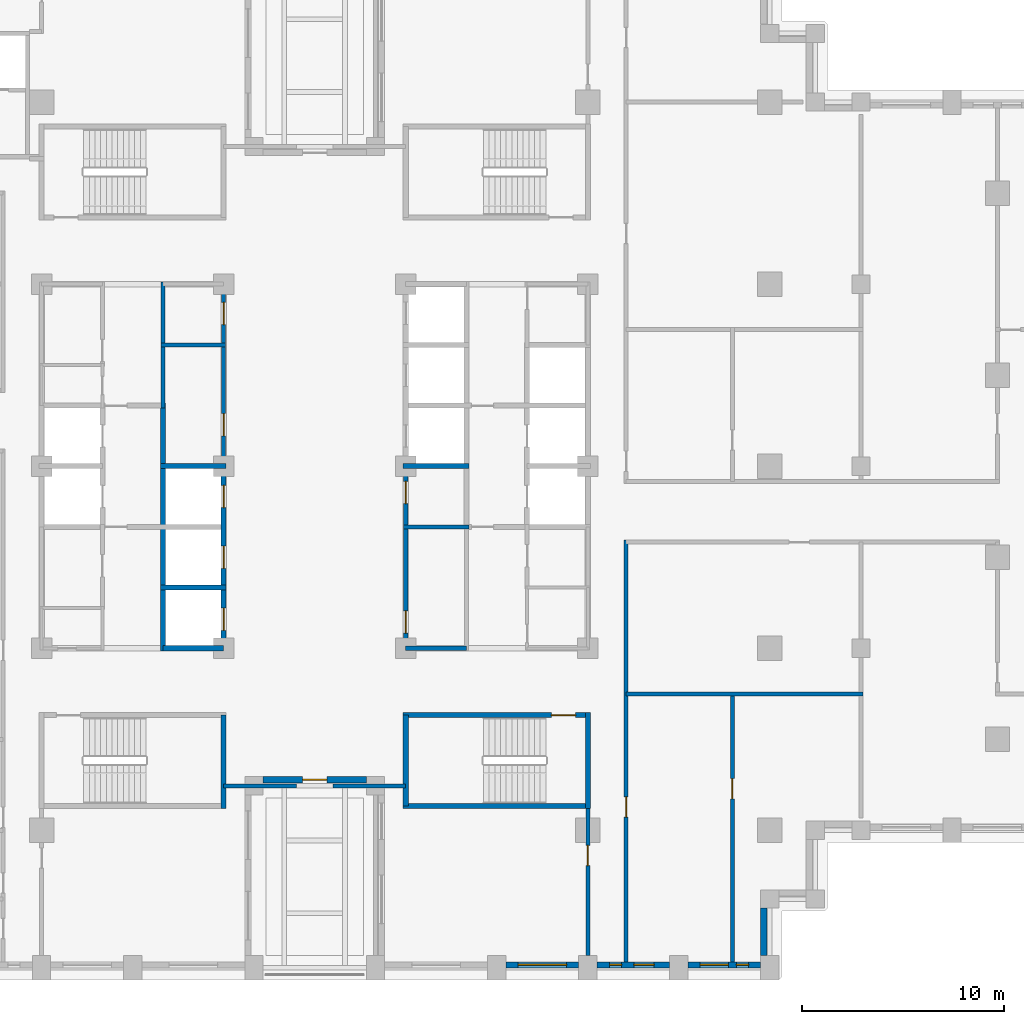
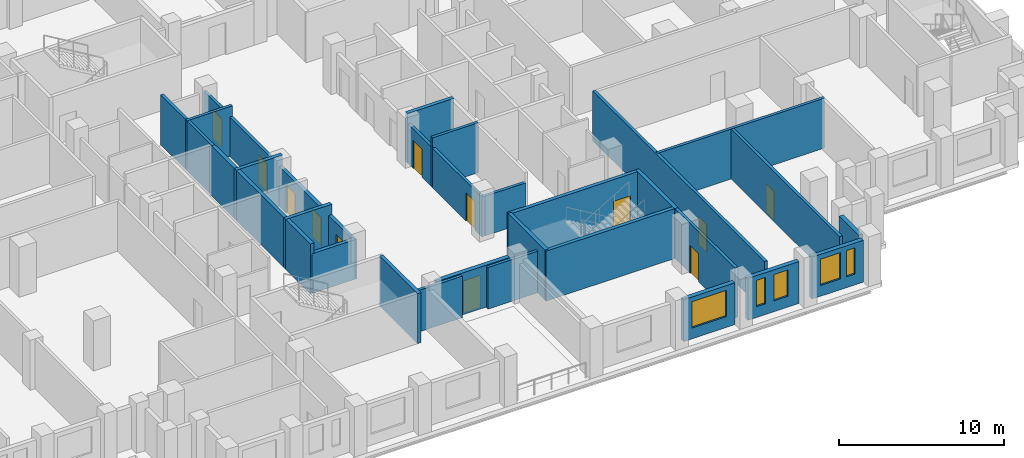
# One storey, part 5 of 13: 28 walls, 12 doors, 5 windows, 17 openings.
"""IFC4 building model written with IfcOpenShell, lengths in metres."""

from ifc_helpers import new_model, si_unit, direction, frame, frame_2d, origin, place, context, subcontext, project, spatial, rectangle, extrude, material, layer, layer_set, type_object, element, fill, save


model = new_model("IFC4")

# Units and contexts
model_context = context("Model", 3, precision=1e-05, world=origin(), true_north=direction((0.0, 1.0)))
body_context = subcontext(model_context, "Body", "Model", "MODEL_VIEW")
ifc_project = project(units=[si_unit("LENGTHUNIT", "METRE"), si_unit("AREAUNIT", "SQUARE_METRE"), si_unit("VOLUMEUNIT", "CUBIC_METRE"), si_unit("PLANEANGLEUNIT", "RADIAN"), si_unit("MASSUNIT", "GRAM", prefix="KILO")], contexts=[model_context])

# Site, building, storey
site_placement = place(None, origin())
site = spatial("IfcSite", under=ifc_project, at=site_placement, CompositionType="ELEMENT")
building_placement = place(site_placement, origin())
building = spatial("IfcBuilding", under=site, at=building_placement, Name="Corbelhall Arena Tower", CompositionType="ELEMENT")
storey_placement = place(building_placement, frame((0.0, 0.0, 68.0)))
storey = spatial("IfcBuildingStorey", under=building, at=storey_placement, Name="L09", CompositionType="ELEMENT", Elevation=68.0)

# Wall, opening, door
ifc_material_1 = material(Name="Precast concrete C40/50 with granite facing", Category="masonry")
ifc_layer_1 = layer(ifc_material_1, 0.300048828125)
ifc_layer_set_1 = layer_set([ifc_layer_1], Name="EV-IW1 Infill panel 300")
wall_type_1 = type_object("IfcWallType", Name="EV-IW1 Infill panel 300", PredefinedType="SOLIDWALL", material=ifc_layer_set_1)
wall_1_placement = place(storey_placement, frame((2.550048828125, -15.5, 0.0), z_axis=(0.0, 0.0, 1.0), x_axis=(-1.0, 0.0, 0.0)))
wall_1 = element("IfcWall", 1, at=wall_1_placement, inside=storey, type_object=wall_type_1, Name="Infill panel IW1", PredefinedType="SOLIDWALL", context=body_context, shape_type="SweptSolid", body=[
    extrude(rectangle(XDim=5.10009765625, YDim=0.300048828125, at=frame_2d((2.550048828125, 0.0))), origin(), (0.0, 0.0, 1.0), 3.10009765625),
])
opening_1_placement = place(wall_1_placement, frame((1.949951171875, 0.0, 0.0)))
opening_1 = element("IfcOpeningElement", 2, at=opening_1_placement, cuts=wall_1, Name="Opening ED1", PredefinedType="OPENING", context=body_context, shape_type="SweptSolid", body=[
    extrude(rectangle(XDim=1.199951171875, YDim=2.39990234375, at=frame_2d((0.60009765625, 1.199951171875))), frame((0.0, 0.14990234375, 0.0), z_axis=(0.0, -1.0, 0.0), x_axis=(1.0, 0.0, 0.0)), (0.0, 0.0, 1.0), 0.300048828125),
])
ifc_material_2 = material(Name="Aluminium black anodised", Category="aluminium")
door_type_1 = type_object("IfcDoorType", Name="EV-ED1 Terrace door", OperationType="SINGLE_SWING_LEFT", PredefinedType="DOOR", material=ifc_material_2)
door_1_placement = place(opening_1_placement, origin())
door_1 = element("IfcDoor", 3, at=door_1_placement, inside=storey, type_object=door_type_1, Name="Terrace door", OperationType="SINGLE_SWING_LEFT", OverallHeight=2.39990234375, OverallWidth=1.199951171875, PredefinedType="DOOR", context=body_context, shape_type="SweptSolid", body=[
    extrude(rectangle(XDim=1.199951171875, YDim=2.39990234375, at=frame_2d((0.60009765625, 1.199951171875))), frame((0.0, 0.02490234375, 0.0), z_axis=(0.0, -1.0, 0.0), x_axis=(1.0, 0.0, 0.0)), (0.0, 0.0, 1.0), 0.050048828125),
])
fill(opening_1, door_1)

# Wall, opening, window
wall_2_placement = place(storey_placement, frame((9.449951171875, -24.64990234375, 0.0), z_axis=(0.0, 0.0, 1.0), x_axis=(1.0, 0.0, 0.0)))
wall_2 = element("IfcWall", 4, at=wall_2_placement, inside=storey, type_object=wall_type_1, Name="Infill panel IW1", PredefinedType="SOLIDWALL", context=body_context, shape_type="SweptSolid", body=[
    extrude(rectangle(XDim=3.60009765625, YDim=0.300048828125, at=frame_2d((1.800048828125, 0.0))), origin(), (0.0, 0.0, 1.0), 3.10009765625),
])
opening_2_placement = place(wall_2_placement, frame((0.60009765625, 0.0, 0.800048828125)))
opening_2 = element("IfcOpeningElement", 5, at=opening_2_placement, cuts=wall_2, Name="Opening WN1", PredefinedType="OPENING", context=body_context, shape_type="SweptSolid", body=[
    extrude(rectangle(XDim=2.39990234375, YDim=1.949951171875, at=frame_2d((1.199951171875, 0.97509765625))), frame((0.0, 0.14990234375, 0.0), z_axis=(0.0, -1.0, 0.0), x_axis=(1.0, 0.0, 0.0)), (0.0, 0.0, 1.0), 0.300048828125),
])
window_type_1 = type_object("IfcWindowType", Name="EV-WN1 Office window", PartitioningType="SINGLE_PANEL", PredefinedType="WINDOW", material=ifc_material_2)
window_1_placement = place(opening_2_placement, origin())
window_1 = element("IfcWindow", 6, at=window_1_placement, inside=storey, type_object=window_type_1, Name="Window WN1", OverallHeight=1.949951171875, OverallWidth=2.39990234375, PartitioningType="SINGLE_PANEL", PredefinedType="WINDOW", context=body_context, shape_type="SweptSolid", body=[
    extrude(rectangle(XDim=2.39990234375, YDim=1.949951171875, at=frame_2d((1.199951171875, 0.97509765625))), frame((0.0, 0.030029296875, 0.0), z_axis=(0.0, -1.0, 0.0), x_axis=(1.0, 0.0, 0.0)), (0.0, 0.0, 1.0), 0.06005859375),
])
fill(opening_2, window_1)

# Wall, openings, windows
wall_3_placement = place(storey_placement, frame((13.949951171875, -24.64990234375, 0.0), z_axis=(0.0, 0.0, 1.0), x_axis=(1.0, 0.0, 0.0)))
wall_3 = element("IfcWall", 7, at=wall_3_placement, inside=storey, type_object=wall_type_1, Name="Infill panel IW1", PredefinedType="SOLIDWALL", context=body_context, shape_type="SweptSolid", body=[
    extrude(rectangle(XDim=3.60009765625, YDim=0.300048828125, at=frame_2d((1.800048828125, 0.0))), origin(), (0.0, 0.0, 1.0), 3.10009765625),
])
opening_3_placement = place(wall_3_placement, frame((0.625, 0.0, 0.800048828125)))
opening_3 = element("IfcOpeningElement", 8, at=opening_3_placement, cuts=wall_3, Name="Opening WN5", PredefinedType="OPENING", context=body_context, shape_type="SweptSolid", body=[
    extrude(rectangle(XDim=0.60009765625, YDim=1.949951171875, at=frame_2d((0.300048828125, 0.97509765625))), frame((0.0, 0.14990234375, 0.0), z_axis=(0.0, -1.0, 0.0), x_axis=(1.0, 0.0, 0.0)), (0.0, 0.0, 1.0), 0.300048828125),
])
opening_4_placement = place(wall_3_placement, frame((1.824951171875, 0.0, 0.800048828125)))
opening_4 = element("IfcOpeningElement", 9, at=opening_4_placement, cuts=wall_3, Name="Opening WN6", PredefinedType="OPENING", context=body_context, shape_type="SweptSolid", body=[
    extrude(rectangle(XDim=1.0, YDim=1.949951171875, at=frame_2d((0.5, 0.97509765625))), frame((0.0, 0.14990234375, 0.0), z_axis=(0.0, -1.0, 0.0), x_axis=(1.0, 0.0, 0.0)), (0.0, 0.0, 1.0), 0.300048828125),
])
window_type_2 = type_object("IfcWindowType", Name="EV-WN5 Office window 600", PartitioningType="SINGLE_PANEL", PredefinedType="WINDOW", material=ifc_material_2)
window_2_placement = place(opening_3_placement, origin())
window_2 = element("IfcWindow", 10, at=window_2_placement, inside=storey, type_object=window_type_2, Name="Window WN5", OverallHeight=1.949951171875, OverallWidth=0.60009765625, PartitioningType="SINGLE_PANEL", PredefinedType="WINDOW", context=body_context, shape_type="SweptSolid", body=[
    extrude(rectangle(XDim=0.60009765625, YDim=1.949951171875, at=frame_2d((0.300048828125, 0.97509765625))), frame((0.0, 0.030029296875, 0.0), z_axis=(0.0, -1.0, 0.0), x_axis=(1.0, 0.0, 0.0)), (0.0, 0.0, 1.0), 0.06005859375),
])
fill(opening_3, window_2)
window_type_3 = type_object("IfcWindowType", Name="EV-WN6 Office window 1000", PartitioningType="SINGLE_PANEL", PredefinedType="WINDOW", material=ifc_material_2)
window_3_placement = place(opening_4_placement, origin())
window_3 = element("IfcWindow", 11, at=window_3_placement, inside=storey, type_object=window_type_3, Name="Window WN6", OverallHeight=1.949951171875, OverallWidth=1.0, PartitioningType="SINGLE_PANEL", PredefinedType="WINDOW", context=body_context, shape_type="SweptSolid", body=[
    extrude(rectangle(XDim=1.0, YDim=1.949951171875, at=frame_2d((0.5, 0.97509765625))), frame((0.0, 0.030029296875, 0.0), z_axis=(0.0, -1.0, 0.0), x_axis=(1.0, 0.0, 0.0)), (0.0, 0.0, 1.0), 0.06005859375),
])
fill(opening_4, window_3)

wall_4_placement = place(storey_placement, frame((18.449951171875, -24.64990234375, 0.0), z_axis=(0.0, 0.0, 1.0), x_axis=(1.0, 0.0, 0.0)))
wall_4 = element("IfcWall", 12, at=wall_4_placement, inside=storey, type_object=wall_type_1, Name="Infill panel IW1", PredefinedType="SOLIDWALL", context=body_context, shape_type="SweptSolid", body=[
    extrude(rectangle(XDim=3.60009765625, YDim=0.300048828125, at=frame_2d((1.800048828125, 0.0))), origin(), (0.0, 0.0, 1.0), 3.10009765625),
])
opening_5_placement = place(wall_4_placement, frame((0.60009765625, 0.0, 0.800048828125)))
opening_5 = element("IfcOpeningElement", 13, at=opening_5_placement, cuts=wall_4, Name="Opening WN7", PredefinedType="OPENING", context=body_context, shape_type="SweptSolid", body=[
    extrude(rectangle(XDim=1.39990234375, YDim=1.949951171875, at=frame_2d((0.699951171875, 0.97509765625))), frame((0.0, 0.14990234375, 0.0), z_axis=(0.0, -1.0, 0.0), x_axis=(1.0, 0.0, 0.0)), (0.0, 0.0, 1.0), 0.300048828125),
])
opening_6_placement = place(wall_4_placement, frame((2.39990234375, 0.0, 0.800048828125)))
opening_6 = element("IfcOpeningElement", 14, at=opening_6_placement, cuts=wall_4, Name="Opening WN5", PredefinedType="OPENING", context=body_context, shape_type="SweptSolid", body=[
    extrude(rectangle(XDim=0.60009765625, YDim=1.949951171875, at=frame_2d((0.300048828125, 0.97509765625))), frame((0.0, 0.14990234375, 0.0), z_axis=(0.0, -1.0, 0.0), x_axis=(1.0, 0.0, 0.0)), (0.0, 0.0, 1.0), 0.300048828125),
])
window_4_placement = place(opening_6_placement, origin())
window_4 = element("IfcWindow", 15, at=window_4_placement, inside=storey, type_object=window_type_2, Name="Window WN5", OverallHeight=1.949951171875, OverallWidth=0.60009765625, PartitioningType="SINGLE_PANEL", PredefinedType="WINDOW", context=body_context, shape_type="SweptSolid", body=[
    extrude(rectangle(XDim=0.60009765625, YDim=1.949951171875, at=frame_2d((0.300048828125, 0.97509765625))), frame((0.0, 0.030029296875, 0.0), z_axis=(0.0, -1.0, 0.0), x_axis=(1.0, 0.0, 0.0)), (0.0, 0.0, 1.0), 0.06005859375),
])
fill(opening_6, window_4)
window_type_4 = type_object("IfcWindowType", Name="EV-WN7 Office window 1400", PartitioningType="SINGLE_PANEL", PredefinedType="WINDOW", material=ifc_material_2)
window_5_placement = place(opening_5_placement, origin())
window_5 = element("IfcWindow", 16, at=window_5_placement, inside=storey, type_object=window_type_4, Name="Window WN7", OverallHeight=1.949951171875, OverallWidth=1.39990234375, PartitioningType="SINGLE_PANEL", PredefinedType="WINDOW", context=body_context, shape_type="SweptSolid", body=[
    extrude(rectangle(XDim=1.39990234375, YDim=1.949951171875, at=frame_2d((0.699951171875, 0.97509765625))), frame((0.0, 0.030029296875, 0.0), z_axis=(0.0, -1.0, 0.0), x_axis=(1.0, 0.0, 0.0)), (0.0, 0.0, 1.0), 0.06005859375),
])
fill(opening_5, window_5)

# Wall
wall_5_placement = place(storey_placement, frame((22.199951171875, -24.199951171875, 0.0), z_axis=(0.0, 0.0, 1.0), x_axis=(0.0, 1.0, 0.0)))
element("IfcWall", 17, at=wall_5_placement, inside=storey, type_object=wall_type_1, Name="Infill panel IW1", PredefinedType="SOLIDWALL", context=body_context, shape_type="SweptSolid", body=[
    extrude(rectangle(XDim=2.349853515625, YDim=0.300048828125, at=frame_2d((1.1748046875, 0.0))), origin(), (0.0, 0.0, 1.0), 3.10009765625),
])

# Wall, opening, door
ifc_material_3 = material(Name="Gypsum board on steel stud, acoustic", Category="steel")
ifc_layer_2 = layer(ifc_material_3, 0.199951171875)
ifc_layer_set_2 = layer_set([ifc_layer_2], Name="IN-W-DM200")
wall_type_2 = type_object("IfcWallType", Name="IN-W-DM200", PredefinedType="PARTITIONING", material=ifc_layer_set_2)
wall_6_placement = place(storey_placement, frame((13.5, -24.199951171875, 0.0), z_axis=(0.0, 0.0, 1.0), x_axis=(0.0, 1.0, 0.0)))
wall_6 = element("IfcWall", 18, at=wall_6_placement, inside=storey, type_object=wall_type_2, Name="Partition 029", PredefinedType="PARTITIONING", context=body_context, shape_type="SweptSolid", body=[
    extrude(rectangle(XDim=7.52490234375, YDim=0.199951171875, at=frame_2d((3.762451171875, 0.0))), origin(), (0.0, 0.0, 1.0), 3.699951171875),
])
opening_7_placement = place(wall_6_placement, frame((4.449951171875, 0.0, 0.0)))
opening_7 = element("IfcOpeningElement", 19, at=opening_7_placement, cuts=wall_6, Name="Opening 01026", PredefinedType="OPENING", context=body_context, shape_type="SweptSolid", body=[
    extrude(rectangle(XDim=1.0, YDim=2.10009765625, at=frame_2d((0.5, 1.050048828125))), frame((0.0, 0.10009765625, 0.0), z_axis=(0.0, -1.0, 0.0), x_axis=(1.0, 0.0, 0.0)), (0.0, 0.0, 1.0), 0.199951171875),
])
ifc_material_4 = material(Name="Steel door set", Category="steel")
door_type_2 = type_object("IfcDoorType", Name="IN-D-SW100", OperationType="NOTDEFINED", PredefinedType="DOOR", material=ifc_material_4)
door_2_placement = place(opening_7_placement, origin())
door_2 = element("IfcDoor", 20, at=door_2_placement, inside=storey, type_object=door_type_2, Name="Door 026", OperationType="SINGLE_SWING_LEFT", OverallHeight=2.10009765625, OverallWidth=1.0, PredefinedType="DOOR", context=body_context, shape_type="SweptSolid", body=[
    extrude(rectangle(XDim=1.0, YDim=2.10009765625, at=frame_2d((0.5, 1.050048828125))), frame((0.0, 0.02490234375, 0.0), z_axis=(0.0, -1.0, 0.0), x_axis=(1.0, 0.0, 0.0)), (0.0, 0.0, 1.0), 0.050048828125),
])
fill(opening_7, door_2)

# Wall
wall_7_placement = place(storey_placement, frame((15.39990234375, -11.25, 0.0), z_axis=(0.0, 0.0, 1.0), x_axis=(1.0, 0.0, 0.0)))
element("IfcWall", 21, at=wall_7_placement, inside=storey, type_object=wall_type_2, Name="Partition 031", PredefinedType="PARTITIONING", context=body_context, shape_type="SweptSolid", body=[
    extrude(rectangle(XDim=11.7001953125, YDim=0.199951171875, at=frame_2d((5.85009765625, 0.0))), origin(), (0.0, 0.0, 1.0), 3.699951171875),
])

# Wall, opening, door
wall_8_placement = place(storey_placement, frame((15.39990234375, -3.64990234375, 0.0), z_axis=(0.0, 0.0, 1.0), x_axis=(0.0, -1.0, 0.0)))
wall_8 = element("IfcWall", 22, at=wall_8_placement, inside=storey, type_object=wall_type_2, Name="Partition 032", PredefinedType="PARTITIONING", context=body_context, shape_type="SweptSolid", body=[
    extrude(rectangle(XDim=20.85009765625, YDim=0.199951171875, at=frame_2d((10.425048828125, 0.0))), origin(), (0.0, 0.0, 1.0), 3.699951171875),
])
opening_8_placement = place(wall_8_placement, frame((12.699951171875, 0.0, 0.0)))
opening_8 = element("IfcOpeningElement", 23, at=opening_8_placement, cuts=wall_8, Name="Opening 01037", PredefinedType="OPENING", context=body_context, shape_type="SweptSolid", body=[
    extrude(rectangle(XDim=1.0, YDim=2.10009765625, at=frame_2d((0.5, 1.050048828125))), frame((0.0, 0.10009765625, 0.0), z_axis=(0.0, -1.0, 0.0), x_axis=(1.0, 0.0, 0.0)), (0.0, 0.0, 1.0), 0.199951171875),
])
door_3_placement = place(opening_8_placement, origin())
door_3 = element("IfcDoor", 24, at=door_3_placement, inside=storey, type_object=door_type_2, Name="Door 037", OperationType="SINGLE_SWING_RIGHT", OverallHeight=2.10009765625, OverallWidth=1.0, PredefinedType="DOOR", context=body_context, shape_type="SweptSolid", body=[
    extrude(rectangle(XDim=1.0, YDim=2.10009765625, at=frame_2d((0.5, 1.050048828125))), frame((0.0, 0.02490234375, 0.0), z_axis=(0.0, -1.0, 0.0), x_axis=(1.0, 0.0, 0.0)), (0.0, 0.0, 1.0), 0.050048828125),
])
fill(opening_8, door_3)

wall_9_placement = place(storey_placement, frame((20.64990234375, -11.14990234375, 0.0), z_axis=(0.0, 0.0, 1.0), x_axis=(0.0, -1.0, 0.0)))
wall_9 = element("IfcWall", 25, at=wall_9_placement, inside=storey, type_object=wall_type_2, Name="Partition 037", PredefinedType="PARTITIONING", context=body_context, shape_type="SweptSolid", body=[
    extrude(rectangle(XDim=13.35009765625, YDim=0.199951171875, at=frame_2d((6.675048828125, 0.0))), origin(), (0.0, 0.0, 1.0), 3.699951171875),
])
opening_9_placement = place(wall_9_placement, frame((4.300048828125, 0.0, 0.0)))
opening_9 = element("IfcOpeningElement", 26, at=opening_9_placement, cuts=wall_9, Name="Opening 01038", PredefinedType="OPENING", context=body_context, shape_type="SweptSolid", body=[
    extrude(rectangle(XDim=1.0, YDim=2.10009765625, at=frame_2d((0.5, 1.050048828125))), frame((0.0, 0.10009765625, 0.0), z_axis=(0.0, -1.0, 0.0), x_axis=(1.0, 0.0, 0.0)), (0.0, 0.0, 1.0), 0.199951171875),
])
door_4_placement = place(opening_9_placement, origin())
door_4 = element("IfcDoor", 27, at=door_4_placement, inside=storey, type_object=door_type_2, Name="Door 038", OperationType="SINGLE_SWING_LEFT", OverallHeight=2.10009765625, OverallWidth=1.0, PredefinedType="DOOR", context=body_context, shape_type="SweptSolid", body=[
    extrude(rectangle(XDim=1.0, YDim=2.10009765625, at=frame_2d((0.5, 1.050048828125))), frame((0.0, 0.02490234375, 0.0), z_axis=(0.0, -1.0, 0.0), x_axis=(1.0, 0.0, 0.0)), (0.0, 0.0, 1.0), 0.050048828125),
])
fill(opening_9, door_4)

# Walls
ifc_layer_3 = layer(ifc_material_3, 0.199951171875)
ifc_layer_set_3 = layer_set([ifc_layer_3], Name="IN-W-DM200 under beam 617 mm")
wall_type_3 = type_object("IfcWallType", Name="IN-W-DM200 under beam 617 mm", PredefinedType="PARTITIONING", material=ifc_layer_set_3)
for number, where, z_axis, x_axis, name in (
    (28, (-0.89990234375, -15.800048828125, 0.0), (0.0, 0.0, 1.0), (-1.0, 0.0, 0.0), "Partition 024"),
    (29, (4.5, -15.800048828125, 0.0), (0.0, 0.0, 1.0), (-1.0, 0.0, 0.0), "Partition 028"),
):
    element("IfcWall", number, at=place(storey_placement, frame(where, z_axis=z_axis, x_axis=x_axis)), inside=storey, type_object=wall_type_3, Name=name, PredefinedType="PARTITIONING", context=body_context, shape_type="SweptSolid", body=[
        extrude(rectangle(XDim=3.60009765625, YDim=0.199951171875, at=frame_2d((1.800048828125, 0.0))), origin(), (0.0, 0.0, 1.0), 3.082763671875),
    ])
ifc_material_5 = material(Name="Concrete block wall", Category="concrete")
ifc_layer_4 = layer(ifc_material_5, 0.199951171875)
ifc_layer_set_4 = layer_set([ifc_layer_4], Name="IN-W-RS200")
wall_type_4 = type_object("IfcWallType", Name="IN-W-RS200", PredefinedType="SOLIDWALL", material=ifc_layer_set_4)
wall_10_placement = place(storey_placement, frame((-7.60009765625, 6.0, 0.0), z_axis=(0.0, 0.0, 1.0), x_axis=(1.0, 0.0, 0.0)))
element("IfcWall", 30, at=wall_10_placement, inside=storey, type_object=wall_type_4, Name="Partition 051", PredefinedType="SOLIDWALL", context=body_context, shape_type="SweptSolid", body=[
    extrude(rectangle(XDim=3.2001953125, YDim=0.199951171875, at=frame_2d((1.60009765625, 0.0))), origin(), (0.0, 0.0, 1.0), 3.699951171875),
])
wall_11_placement = place(storey_placement, frame((-7.5, 2.875, 0.0), z_axis=(0.0, 0.0, 1.0), x_axis=(0.0, 1.0, 0.0)))
element("IfcWall", 31, at=wall_11_placement, inside=storey, type_object=wall_type_4, Name="Partition 052", PredefinedType="SOLIDWALL", context=body_context, shape_type="SweptSolid", body=[
    extrude(rectangle(XDim=6.22509765625, YDim=0.199951171875, at=frame_2d((3.112548828125, 0.0))), origin(), (0.0, 0.0, 1.0), 3.699951171875),
])
wall_12_placement = place(storey_placement, frame((4.39990234375, -3.0, 0.0), z_axis=(0.0, 0.0, 1.0), x_axis=(1.0, 0.0, 0.0)))
element("IfcWall", 32, at=wall_12_placement, inside=storey, type_object=wall_type_4, Name="Partition 055", PredefinedType="SOLIDWALL", context=body_context, shape_type="SweptSolid", body=[
    extrude(rectangle(XDim=3.22509765625, YDim=0.199951171875, at=frame_2d((1.612548828125, 0.0))), origin(), (0.0, 0.0, 1.0), 3.699951171875),
])

# Wall, openings, doors
ifc_layer_5 = layer(ifc_material_5, 0.199951171875)
ifc_layer_set_5 = layer_set([ifc_layer_5], Name="IN-W-RS200 under beam 762 mm")
wall_type_5 = type_object("IfcWallType", Name="IN-W-RS200 under beam 762 mm", PredefinedType="SOLIDWALL", material=ifc_layer_set_5)
wall_13_placement = place(storey_placement, frame((-4.5, 9.10009765625, 0.0), z_axis=(0.0, 0.0, 1.0), x_axis=(0.0, -1.0, 0.0)))
wall_13 = element("IfcWall", 33, at=wall_13_placement, inside=storey, type_object=wall_type_5, Name="Partition 054", PredefinedType="SOLIDWALL", context=body_context, shape_type="SweptSolid", body=[
    extrude(rectangle(XDim=9.10009765625, YDim=0.199951171875, at=frame_2d((4.550048828125, 0.0))), origin(), (0.0, 0.0, 1.0), 2.93798828125),
])
opening_10_placement = place(wall_13_placement, frame((6.5, 0.0, 0.0)))
opening_10 = element("IfcOpeningElement", 34, at=opening_10_placement, cuts=wall_13, Name="Opening 01001", PredefinedType="OPENING", context=body_context, shape_type="SweptSolid", body=[
    extrude(rectangle(XDim=1.10009765625, YDim=2.10009765625, at=frame_2d((0.550048828125, 1.050048828125))), frame((0.0, 0.10009765625, 0.0), z_axis=(0.0, -1.0, 0.0), x_axis=(1.0, 0.0, 0.0)), (0.0, 0.0, 1.0), 0.199951171875),
])
opening_11_placement = place(wall_13_placement, frame((1.0, 0.0, 0.0)))
opening_11 = element("IfcOpeningElement", 35, at=opening_11_placement, cuts=wall_13, Name="Opening 01002", PredefinedType="OPENING", context=body_context, shape_type="SweptSolid", body=[
    extrude(rectangle(XDim=1.10009765625, YDim=2.10009765625, at=frame_2d((0.550048828125, 1.050048828125))), frame((0.0, 0.10009765625, 0.0), z_axis=(0.0, -1.0, 0.0), x_axis=(1.0, 0.0, 0.0)), (0.0, 0.0, 1.0), 0.199951171875),
])
door_type_3 = type_object("IfcDoorType", Name="IN-D-FD110", OperationType="NOTDEFINED", PredefinedType="DOOR", material=ifc_material_4)
door_5_placement = place(opening_10_placement, origin())
door_5 = element("IfcDoor", 36, at=door_5_placement, inside=storey, type_object=door_type_3, Name="Door 001", OperationType="SINGLE_SWING_RIGHT", OverallHeight=2.10009765625, OverallWidth=1.10009765625, PredefinedType="DOOR", context=body_context, shape_type="SweptSolid", body=[
    extrude(rectangle(XDim=1.10009765625, YDim=2.10009765625, at=frame_2d((0.550048828125, 1.050048828125))), frame((0.0, 0.02490234375, 0.0), z_axis=(0.0, -1.0, 0.0), x_axis=(1.0, 0.0, 0.0)), (0.0, 0.0, 1.0), 0.050048828125),
])
fill(opening_10, door_5)
door_6_placement = place(opening_11_placement, origin())
door_6 = element("IfcDoor", 37, at=door_6_placement, inside=storey, type_object=door_type_3, Name="Door 002", OperationType="SINGLE_SWING_LEFT", OverallHeight=2.10009765625, OverallWidth=1.10009765625, PredefinedType="DOOR", context=body_context, shape_type="SweptSolid", body=[
    extrude(rectangle(XDim=1.10009765625, YDim=2.10009765625, at=frame_2d((0.550048828125, 1.050048828125))), frame((0.0, 0.02490234375, 0.0), z_axis=(0.0, -1.0, 0.0), x_axis=(1.0, 0.0, 0.0)), (0.0, 0.0, 1.0), 0.050048828125),
])
fill(opening_11, door_6)

wall_14_placement = place(storey_placement, frame((4.5, -9.10009765625, 0.0), z_axis=(0.0, 0.0, 1.0), x_axis=(0.0, 1.0, 0.0)))
wall_14 = element("IfcWall", 38, at=wall_14_placement, inside=storey, type_object=wall_type_5, Name="Partition 056", PredefinedType="SOLIDWALL", context=body_context, shape_type="SweptSolid", body=[
    extrude(rectangle(XDim=9.10009765625, YDim=0.199951171875, at=frame_2d((4.550048828125, 0.0))), origin(), (0.0, 0.0, 1.0), 2.93798828125),
])
opening_12_placement = place(wall_14_placement, frame((0.85009765625, 0.0, 0.0)))
opening_12 = element("IfcOpeningElement", 39, at=opening_12_placement, cuts=wall_14, Name="Opening 01008", PredefinedType="OPENING", context=body_context, shape_type="SweptSolid", body=[
    extrude(rectangle(XDim=1.10009765625, YDim=2.10009765625, at=frame_2d((0.550048828125, 1.050048828125))), frame((0.0, 0.10009765625, 0.0), z_axis=(0.0, -1.0, 0.0), x_axis=(1.0, 0.0, 0.0)), (0.0, 0.0, 1.0), 0.199951171875),
])
opening_13_placement = place(wall_14_placement, frame((7.25, 0.0, 0.0)))
opening_13 = element("IfcOpeningElement", 40, at=opening_13_placement, cuts=wall_14, Name="Opening 01009", PredefinedType="OPENING", context=body_context, shape_type="SweptSolid", body=[
    extrude(rectangle(XDim=1.10009765625, YDim=2.10009765625, at=frame_2d((0.550048828125, 1.050048828125))), frame((0.0, 0.10009765625, 0.0), z_axis=(0.0, -1.0, 0.0), x_axis=(1.0, 0.0, 0.0)), (0.0, 0.0, 1.0), 0.199951171875),
])
door_7_placement = place(opening_12_placement, origin())
door_7 = element("IfcDoor", 41, at=door_7_placement, inside=storey, type_object=door_type_3, Name="Door 008", OperationType="SINGLE_SWING_LEFT", OverallHeight=2.10009765625, OverallWidth=1.10009765625, PredefinedType="DOOR", context=body_context, shape_type="SweptSolid", body=[
    extrude(rectangle(XDim=1.10009765625, YDim=2.10009765625, at=frame_2d((0.550048828125, 1.050048828125))), frame((0.0, 0.02490234375, 0.0), z_axis=(0.0, -1.0, 0.0), x_axis=(1.0, 0.0, 0.0)), (0.0, 0.0, 1.0), 0.050048828125),
])
fill(opening_12, door_7)
door_8_placement = place(opening_13_placement, origin())
door_8 = element("IfcDoor", 42, at=door_8_placement, inside=storey, type_object=door_type_3, Name="Door 009", OperationType="SINGLE_SWING_RIGHT", OverallHeight=2.10009765625, OverallWidth=1.10009765625, PredefinedType="DOOR", context=body_context, shape_type="SweptSolid", body=[
    extrude(rectangle(XDim=1.10009765625, YDim=2.10009765625, at=frame_2d((0.550048828125, 1.050048828125))), frame((0.0, 0.02490234375, 0.0), z_axis=(0.0, -1.0, 0.0), x_axis=(1.0, 0.0, 0.0)), (0.0, 0.0, 1.0), 0.050048828125),
])
fill(opening_13, door_8)

# Walls
wall_15_placement = place(storey_placement, frame((7.5, -9.0, 0.0), z_axis=(0.0, 0.0, 1.0), x_axis=(-1.0, 0.0, 0.0)))
element("IfcWall", 43, at=wall_15_placement, inside=storey, type_object=wall_type_5, Name="Partition 057", PredefinedType="SOLIDWALL", context=body_context, shape_type="SweptSolid", body=[
    extrude(rectangle(XDim=3.0, YDim=0.199951171875, at=frame_2d((1.5, 0.0))), origin(), (0.0, 0.0, 1.0), 2.93798828125),
])
ifc_material_6 = material(Name="Concrete C40/50", Category="concrete")
ifc_layer_6 = layer(ifc_material_6, 0.25)
ifc_layer_set_6 = layer_set([ifc_layer_6], Name="IN-W-SH250")
wall_type_6 = type_object("IfcWallType", Name="IN-W-SH250", PredefinedType="SOLIDWALL", material=ifc_layer_set_6)
for number, where, z_axis, x_axis, name in (
    (44, (-7.625, -6.0, 0.0), (0.0, 0.0, 1.0), (1.0, 0.0, 0.0), "Shaft wall 069"),
    (45, (-7.625, 0.0, 0.0), (0.0, 0.0, 1.0), (1.0, 0.0, 0.0), "Shaft wall 070"),
):
    element("IfcWall", number, at=place(storey_placement, frame(where, z_axis=z_axis, x_axis=x_axis)), inside=storey, type_object=wall_type_6, Name=name, PredefinedType="SOLIDWALL", context=body_context, shape_type="SweptSolid", body=[
        extrude(rectangle(XDim=3.25, YDim=0.25, at=frame_2d((1.625, 0.0))), origin(), (0.0, 0.0, 1.0), 3.699951171875),
    ])
wall_16_placement = place(storey_placement, frame((-7.5, -9.125, 0.0), z_axis=(0.0, 0.0, 1.0), x_axis=(0.0, 1.0, 0.0)))
element("IfcWall", 46, at=wall_16_placement, inside=storey, type_object=wall_type_6, Name="Shaft wall 071", PredefinedType="SOLIDWALL", context=body_context, shape_type="SweptSolid", body=[
    extrude(rectangle(XDim=12.25, YDim=0.25, at=frame_2d((6.125, 0.0))), origin(), (0.0, 0.0, 1.0), 3.699951171875),
])
wall_17_placement = place(storey_placement, frame((4.375, 0.0, 0.0), z_axis=(0.0, 0.0, 1.0), x_axis=(1.0, 0.0, 0.0)))
element("IfcWall", 47, at=wall_17_placement, inside=storey, type_object=wall_type_6, Name="Shaft wall 074", PredefinedType="SOLIDWALL", context=body_context, shape_type="SweptSolid", body=[
    extrude(rectangle(XDim=3.25, YDim=0.25, at=frame_2d((1.625, 0.0))), origin(), (0.0, 0.0, 1.0), 3.699951171875),
])
ifc_layer_7 = layer(ifc_material_6, 0.25)
ifc_layer_set_7 = layer_set([ifc_layer_7], Name="IN-W-SH250 under beam 762 mm")
wall_type_7 = type_object("IfcWallType", Name="IN-W-SH250 under beam 762 mm", PredefinedType="SOLIDWALL", material=ifc_layer_set_7)
wall_18_placement = place(storey_placement, frame((-4.5, -9.0, 0.0), z_axis=(0.0, 0.0, 1.0), x_axis=(-1.0, 0.0, 0.0)))
element("IfcWall", 48, at=wall_18_placement, inside=storey, type_object=wall_type_7, Name="Shaft wall 072", PredefinedType="SOLIDWALL", context=body_context, shape_type="SweptSolid", body=[
    extrude(rectangle(XDim=3.0, YDim=0.25, at=frame_2d((1.5, 0.0))), origin(), (0.0, 0.0, 1.0), 2.93798828125),
])

# Wall, openings, doors
wall_19_placement = place(storey_placement, frame((-4.5, 0.0, 0.0), z_axis=(0.0, 0.0, 1.0), x_axis=(0.0, -1.0, 0.0)))
wall_19 = element("IfcWall", 49, at=wall_19_placement, inside=storey, type_object=wall_type_7, Name="Shaft wall 073", PredefinedType="SOLIDWALL", context=body_context, shape_type="SweptSolid", body=[
    extrude(rectangle(XDim=9.125, YDim=0.25, at=frame_2d((4.5625, 0.0))), origin(), (0.0, 0.0, 1.0), 2.93798828125),
])
opening_14_placement = place(wall_19_placement, frame((7.012451171875, 0.0, 0.0)))
opening_14 = element("IfcOpeningElement", 50, at=opening_14_placement, cuts=wall_19, Name="Opening LD", PredefinedType="OPENING", context=body_context, shape_type="SweptSolid", body=[
    extrude(rectangle(XDim=1.10009765625, YDim=2.10009765625, at=frame_2d((0.550048828125, 1.050048828125))), frame((0.0, 0.125, 0.0), z_axis=(0.0, -1.0, 0.0), x_axis=(1.0, 0.0, 0.0)), (0.0, 0.0, 1.0), 0.25),
])
opening_15_placement = place(wall_19_placement, frame((3.949951171875, 0.0, 0.0)))
opening_15 = element("IfcOpeningElement", 51, at=opening_15_placement, cuts=wall_19, Name="Opening LD", PredefinedType="OPENING", context=body_context, shape_type="SweptSolid", body=[
    extrude(rectangle(XDim=1.10009765625, YDim=2.10009765625, at=frame_2d((0.550048828125, 1.050048828125))), frame((0.0, 0.125, 0.0), z_axis=(0.0, -1.0, 0.0), x_axis=(1.0, 0.0, 0.0)), (0.0, 0.0, 1.0), 0.25),
])
opening_16_placement = place(wall_19_placement, frame((0.949951171875, 0.0, 0.0)))
opening_16 = element("IfcOpeningElement", 52, at=opening_16_placement, cuts=wall_19, Name="Opening LD", PredefinedType="OPENING", context=body_context, shape_type="SweptSolid", body=[
    extrude(rectangle(XDim=1.10009765625, YDim=2.10009765625, at=frame_2d((0.550048828125, 1.050048828125))), frame((0.0, 0.125, 0.0), z_axis=(0.0, -1.0, 0.0), x_axis=(1.0, 0.0, 0.0)), (0.0, 0.0, 1.0), 0.25),
])
door_type_4 = type_object("IfcDoorType", Name="IN-D-LD110", OperationType="NOTDEFINED", PredefinedType="DOOR", material=ifc_material_4)
door_9_placement = place(opening_14_placement, origin())
door_9 = element("IfcDoor", 53, at=door_9_placement, inside=storey, type_object=door_type_4, Name="Landing door W1", OperationType="SLIDING_TO_LEFT", OverallHeight=2.10009765625, OverallWidth=1.10009765625, PredefinedType="DOOR", context=body_context, shape_type="SweptSolid", body=[
    extrude(rectangle(XDim=1.10009765625, YDim=2.10009765625, at=frame_2d((0.550048828125, 1.050048828125))), frame((0.0, 0.02490234375, 0.0), z_axis=(0.0, -1.0, 0.0), x_axis=(1.0, 0.0, 0.0)), (0.0, 0.0, 1.0), 0.050048828125),
])
fill(opening_14, door_9)
door_10_placement = place(opening_15_placement, origin())
door_10 = element("IfcDoor", 54, at=door_10_placement, inside=storey, type_object=door_type_4, Name="Landing door W2", OperationType="SLIDING_TO_LEFT", OverallHeight=2.10009765625, OverallWidth=1.10009765625, PredefinedType="DOOR", context=body_context, shape_type="SweptSolid", body=[
    extrude(rectangle(XDim=1.10009765625, YDim=2.10009765625, at=frame_2d((0.550048828125, 1.050048828125))), frame((0.0, 0.02490234375, 0.0), z_axis=(0.0, -1.0, 0.0), x_axis=(1.0, 0.0, 0.0)), (0.0, 0.0, 1.0), 0.050048828125),
])
fill(opening_15, door_10)
door_11_placement = place(opening_16_placement, origin())
door_11 = element("IfcDoor", 55, at=door_11_placement, inside=storey, type_object=door_type_4, Name="Landing door W3", OperationType="SLIDING_TO_LEFT", OverallHeight=2.10009765625, OverallWidth=1.10009765625, PredefinedType="DOOR", context=body_context, shape_type="SweptSolid", body=[
    extrude(rectangle(XDim=1.10009765625, YDim=2.10009765625, at=frame_2d((0.550048828125, 1.050048828125))), frame((0.0, 0.02490234375, 0.0), z_axis=(0.0, -1.0, 0.0), x_axis=(1.0, 0.0, 0.0)), (0.0, 0.0, 1.0), 0.050048828125),
])
fill(opening_16, door_11)

# Walls
ifc_layer_8 = layer(ifc_material_6, 0.25)
ifc_layer_set_8 = layer_set([ifc_layer_8], Name="IN-W-ST250")
wall_type_8 = type_object("IfcWallType", Name="IN-W-ST250", PredefinedType="SOLIDWALL", material=ifc_layer_set_8)
wall_20_placement = place(storey_placement, frame((-4.5, -12.300048828125, 0.0), z_axis=(0.0, 0.0, 1.0), x_axis=(0.0, -1.0, 0.0)))
element("IfcWall", 56, at=wall_20_placement, inside=storey, type_object=wall_type_8, Name="Shaft wall 096", PredefinedType="SOLIDWALL", context=body_context, shape_type="SweptSolid", body=[
    extrude(rectangle(XDim=4.625, YDim=0.25, at=frame_2d((2.3125, 0.0))), origin(), (0.0, 0.0, 1.0), 3.699951171875),
])
wall_21_placement = place(storey_placement, frame((4.5, -16.800048828125, 0.0), z_axis=(0.0, 0.0, 1.0), x_axis=(0.0, 1.0, 0.0)))
element("IfcWall", 57, at=wall_21_placement, inside=storey, type_object=wall_type_8, Name="Shaft wall 101", PredefinedType="SOLIDWALL", context=body_context, shape_type="SweptSolid", body=[
    extrude(rectangle(XDim=4.5, YDim=0.25, at=frame_2d((2.25, 0.0))), origin(), (0.0, 0.0, 1.0), 3.699951171875),
])
wall_22_placement = place(storey_placement, frame((13.5, -16.925048828125, 0.0), z_axis=(0.0, 0.0, 1.0), x_axis=(0.0, 1.0, 0.0)))
element("IfcWall", 58, at=wall_22_placement, inside=storey, type_object=wall_type_8, Name="Shaft wall 103", PredefinedType="SOLIDWALL", context=body_context, shape_type="SweptSolid", body=[
    extrude(rectangle(XDim=4.75, YDim=0.25, at=frame_2d((2.375, 0.0))), origin(), (0.0, 0.0, 1.0), 3.699951171875),
])
wall_23_placement = place(storey_placement, frame((13.5, -16.800048828125, 0.0), z_axis=(0.0, 0.0, 1.0), x_axis=(-1.0, 0.0, 0.0)))
element("IfcWall", 59, at=wall_23_placement, inside=storey, type_object=wall_type_8, Name="Shaft wall 104", PredefinedType="SOLIDWALL", context=body_context, shape_type="SweptSolid", body=[
    extrude(rectangle(XDim=9.125, YDim=0.25, at=frame_2d((4.5625, 0.0))), origin(), (0.0, 0.0, 1.0), 3.699951171875),
])

# Wall, opening, door
wall_24_placement = place(storey_placement, frame((13.5, -12.300048828125, 0.0), z_axis=(0.0, 0.0, 1.0), x_axis=(-1.0, 0.0, 0.0)))
wall_24 = element("IfcWall", 60, at=wall_24_placement, inside=storey, type_object=wall_type_8, Name="Shaft wall 105", PredefinedType="SOLIDWALL", context=body_context, shape_type="SweptSolid", body=[
    extrude(rectangle(XDim=9.125, YDim=0.25, at=frame_2d((4.5625, 0.0))), origin(), (0.0, 0.0, 1.0), 3.699951171875),
])
opening_17_placement = place(wall_24_placement, frame((0.60009765625, 0.0, 0.0)))
opening_17 = element("IfcOpeningElement", 61, at=opening_17_placement, cuts=wall_24, Name="Opening 01018", PredefinedType="OPENING", context=body_context, shape_type="SweptSolid", body=[
    extrude(rectangle(XDim=1.199951171875, YDim=2.10009765625, at=frame_2d((0.60009765625, 1.050048828125))), frame((0.0, 0.125, 0.0), z_axis=(0.0, -1.0, 0.0), x_axis=(1.0, 0.0, 0.0)), (0.0, 0.0, 1.0), 0.25),
])
door_type_5 = type_object("IfcDoorType", Name="IN-D-ST120", OperationType="NOTDEFINED", PredefinedType="DOOR", material=ifc_material_4)
door_12_placement = place(opening_17_placement, origin())
door_12 = element("IfcDoor", 62, at=door_12_placement, inside=storey, type_object=door_type_5, Name="Door 018", OperationType="SINGLE_SWING_LEFT", OverallHeight=2.10009765625, OverallWidth=1.199951171875, PredefinedType="DOOR", context=body_context, shape_type="SweptSolid", body=[
    extrude(rectangle(XDim=1.199951171875, YDim=2.10009765625, at=frame_2d((0.60009765625, 1.050048828125))), frame((0.0, 0.02490234375, 0.0), z_axis=(0.0, -1.0, 0.0), x_axis=(1.0, 0.0, 0.0)), (0.0, 0.0, 1.0), 0.050048828125),
])
fill(opening_17, door_12)

save(model, "model.ifc")
